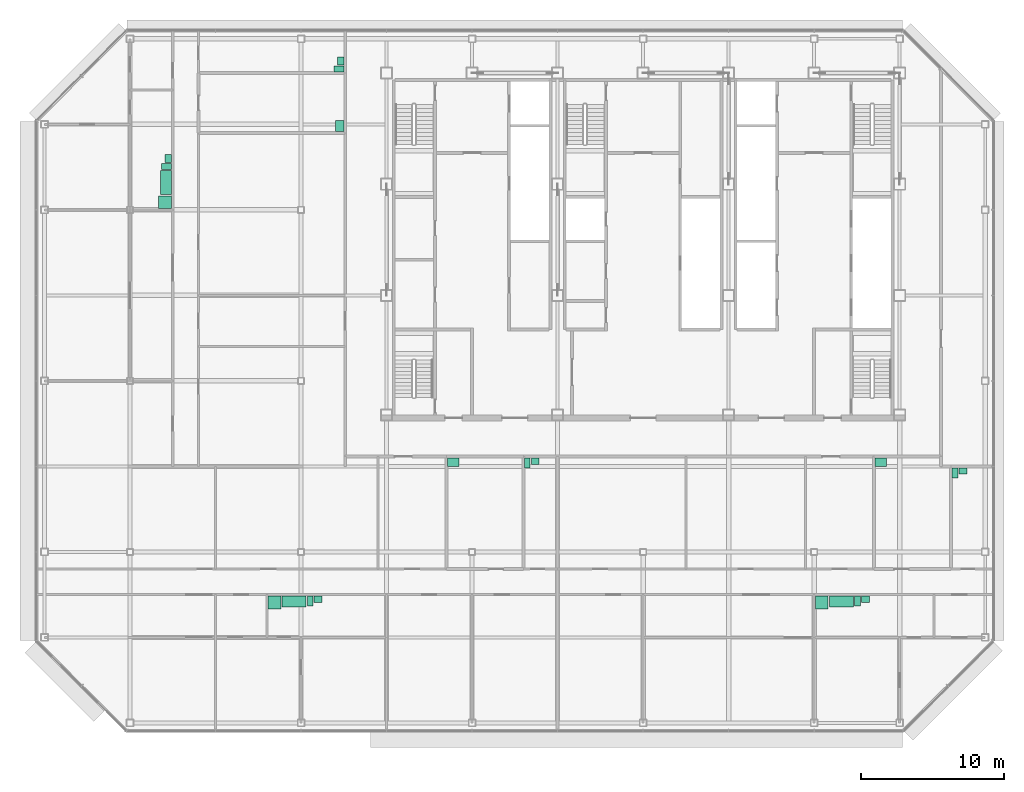
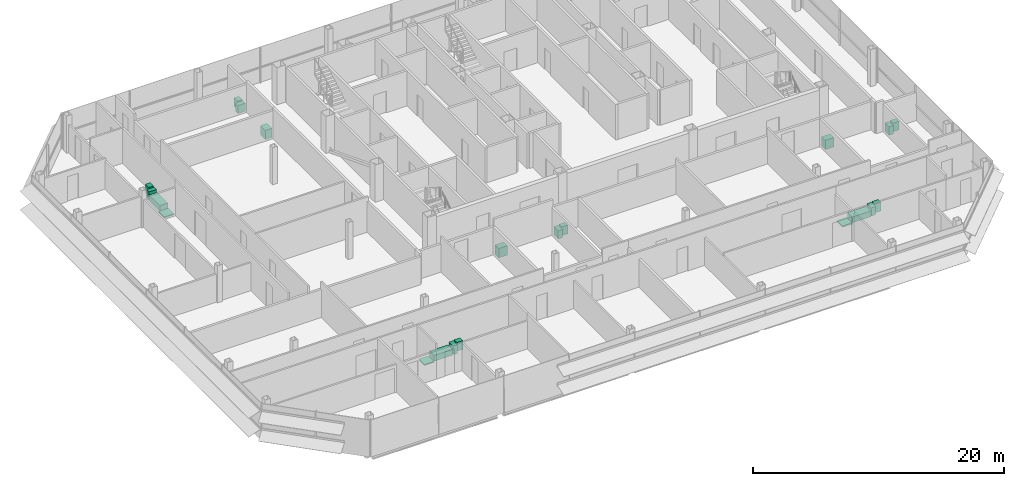
# One storey, part 27 of 27: 21 sanitary terminals.
"""IFC4 building model written with IfcOpenShell, lengths in metres."""

from ifc_helpers import new_model, si_unit, direction, frame, origin, origin_2d, place, context, subcontext, project, spatial, rectangle, extrude, element, save


model = new_model("IFC4")

# Units and contexts
model_context = context("Model", 3, precision=1e-05, world=origin(), true_north=direction((0.0, 1.0)))
body_context = subcontext(model_context, "Body", "Model", "MODEL_VIEW")
ifc_project = project(units=[si_unit("LENGTHUNIT", "METRE"), si_unit("AREAUNIT", "SQUARE_METRE"), si_unit("VOLUMEUNIT", "CUBIC_METRE"), si_unit("PLANEANGLEUNIT", "RADIAN"), si_unit("MASSUNIT", "GRAM", prefix="KILO")], contexts=[model_context])

# Site, building, storey
site_placement = place(None, origin())
site = spatial("IfcSite", under=ifc_project, at=site_placement, CompositionType="ELEMENT")
building_placement = place(site_placement, origin())
building = spatial("IfcBuilding", under=site, at=building_placement, Name="Sorahane Residences", CompositionType="ELEMENT")
storey_placement = place(building_placement, frame((0.0, 0.0, 316.0)))
storey = spatial("IfcBuildingStorey", under=building, at=storey_placement, Name="L75", CompositionType="ELEMENT", Elevation=316.0)

# Sanitary terminals
sanitary_terminal_1_placement = place(storey_placement, frame((-1.8701171875, 8.449951171875, 0.0), z_axis=(0.0, 0.0, 1.0), x_axis=(1.0, 0.0, 0.0)))
element("IfcSanitaryTerminal", 1, at=sanitary_terminal_1_placement, inside=storey, Name="Shower tray En-suite bathroom 75A", PredefinedType="SHOWER", context=body_context, shape_type="SweptSolid", body=[
    extrude(rectangle(XDim=0.89990234375, YDim=0.89990234375, at=origin_2d()), origin(), (0.0, 0.0, 1.0), 0.1201171875),
])
sanitary_terminal_2_placement = place(storey_placement, frame((-0.489990234375, 8.52490234375, 0.0), z_axis=(0.0, 0.0, 1.0), x_axis=(1.0, 0.0, 0.0)))
element("IfcSanitaryTerminal", 2, at=sanitary_terminal_2_placement, inside=storey, Name="Bath En-suite bathroom 75A", PredefinedType="BATH", context=body_context, shape_type="SweptSolid", body=[
    extrude(rectangle(XDim=1.699951171875, YDim=0.75, at=origin_2d()), origin(), (0.0, 0.0, 1.0), 0.56005859375),
])
sanitary_terminal_3_placement = place(storey_placement, frame((0.639892578125, 8.550048828125, 0.0), z_axis=(0.0, 0.0, 1.0), x_axis=(1.0, 0.0, 0.0)))
element("IfcSanitaryTerminal", 3, at=sanitary_terminal_3_placement, inside=storey, Name="WC pan En-suite bathroom 75A", PredefinedType="TOILETPAN", context=body_context, shape_type="SweptSolid", body=[
    extrude(rectangle(XDim=0.39990234375, YDim=0.699951171875, at=origin_2d()), origin(), (0.0, 0.0, 1.0), 0.800048828125),
])
sanitary_terminal_4_placement = place(storey_placement, frame((1.195068359375, 8.675048828125, 0.0), z_axis=(0.0, 0.0, 1.0), x_axis=(1.0, 0.0, 0.0)))
element("IfcSanitaryTerminal", 4, at=sanitary_terminal_4_placement, inside=storey, Name="Wash basin En-suite bathroom 75A", PredefinedType="WASHHANDBASIN", context=body_context, shape_type="SweptSolid", body=[
    extrude(rectangle(XDim=0.550048828125, YDim=0.449951171875, at=origin_2d()), origin(), (0.0, 0.0, 1.0), 0.85009765625),
])
sanitary_terminal_5_placement = place(storey_placement, frame((10.679931640625, 18.300048828125, 0.0), z_axis=(0.0, 0.0, 1.0), x_axis=(1.0, 0.0, 0.0)))
element("IfcSanitaryTerminal", 5, at=sanitary_terminal_5_placement, inside=storey, Name="Kitchen sink Kitchen 75A", PredefinedType="SINK", context=body_context, shape_type="SweptSolid", body=[
    extrude(rectangle(XDim=0.800048828125, YDim=0.60009765625, at=origin_2d()), origin(), (0.0, 0.0, 1.0), 0.89990234375),
])
sanitary_terminal_6_placement = place(storey_placement, frame((15.8798828125, 18.25, 0.0), z_axis=(0.0, 0.0, 1.0), x_axis=(1.0, 0.0, 0.0)))
element("IfcSanitaryTerminal", 6, at=sanitary_terminal_6_placement, inside=storey, Name="WC pan Guest WC 75A", PredefinedType="TOILETPAN", context=body_context, shape_type="SweptSolid", body=[
    extrude(rectangle(XDim=0.39990234375, YDim=0.699951171875, at=origin_2d()), origin(), (0.0, 0.0, 1.0), 0.800048828125),
])
sanitary_terminal_7_placement = place(storey_placement, frame((16.43505859375, 18.375, 0.0), z_axis=(0.0, 0.0, 1.0), x_axis=(1.0, 0.0, 0.0)))
element("IfcSanitaryTerminal", 7, at=sanitary_terminal_7_placement, inside=storey, Name="Wash basin Guest WC 75A", PredefinedType="WASHHANDBASIN", context=body_context, shape_type="SweptSolid", body=[
    extrude(rectangle(XDim=0.550048828125, YDim=0.449951171875, at=origin_2d()), origin(), (0.0, 0.0, 1.0), 0.85009765625),
])
sanitary_terminal_8_placement = place(storey_placement, frame((36.530029296875, 8.449951171875, 0.0), z_axis=(0.0, 0.0, 1.0), x_axis=(1.0, 0.0, 0.0)))
element("IfcSanitaryTerminal", 8, at=sanitary_terminal_8_placement, inside=storey, Name="Shower tray En-suite bathroom 75B", PredefinedType="SHOWER", context=body_context, shape_type="SweptSolid", body=[
    extrude(rectangle(XDim=0.89990234375, YDim=0.89990234375, at=origin_2d()), origin(), (0.0, 0.0, 1.0), 0.1201171875),
])
sanitary_terminal_9_placement = place(storey_placement, frame((37.909912109375, 8.52490234375, 0.0), z_axis=(0.0, 0.0, 1.0), x_axis=(1.0, 0.0, 0.0)))
element("IfcSanitaryTerminal", 9, at=sanitary_terminal_9_placement, inside=storey, Name="Bath En-suite bathroom 75B", PredefinedType="BATH", context=body_context, shape_type="SweptSolid", body=[
    extrude(rectangle(XDim=1.699951171875, YDim=0.75, at=origin_2d()), origin(), (0.0, 0.0, 1.0), 0.56005859375),
])
sanitary_terminal_10_placement = place(storey_placement, frame((39.0400390625, 8.550048828125, 0.0), z_axis=(0.0, 0.0, 1.0), x_axis=(1.0, 0.0, 0.0)))
element("IfcSanitaryTerminal", 10, at=sanitary_terminal_10_placement, inside=storey, Name="WC pan En-suite bathroom 75B", PredefinedType="TOILETPAN", context=body_context, shape_type="SweptSolid", body=[
    extrude(rectangle(XDim=0.39990234375, YDim=0.699951171875, at=origin_2d()), origin(), (0.0, 0.0, 1.0), 0.800048828125),
])
sanitary_terminal_11_placement = place(storey_placement, frame((39.594970703125, 8.675048828125, 0.0), z_axis=(0.0, 0.0, 1.0), x_axis=(1.0, 0.0, 0.0)))
element("IfcSanitaryTerminal", 11, at=sanitary_terminal_11_placement, inside=storey, Name="Wash basin En-suite bathroom 75B", PredefinedType="WASHHANDBASIN", context=body_context, shape_type="SweptSolid", body=[
    extrude(rectangle(XDim=0.550048828125, YDim=0.449951171875, at=origin_2d()), origin(), (0.0, 0.0, 1.0), 0.85009765625),
])
sanitary_terminal_12_placement = place(storey_placement, frame((40.679931640625, 18.300048828125, 0.0), z_axis=(0.0, 0.0, 1.0), x_axis=(1.0, 0.0, 0.0)))
element("IfcSanitaryTerminal", 12, at=sanitary_terminal_12_placement, inside=storey, Name="Kitchen sink Kitchen 75B", PredefinedType="SINK", context=body_context, shape_type="SweptSolid", body=[
    extrude(rectangle(XDim=0.800048828125, YDim=0.60009765625, at=origin_2d()), origin(), (0.0, 0.0, 1.0), 0.89990234375),
])
sanitary_terminal_13_placement = place(storey_placement, frame((45.8798828125, 17.550048828125, 0.0), z_axis=(0.0, 0.0, 1.0), x_axis=(1.0, 0.0, 0.0)))
element("IfcSanitaryTerminal", 13, at=sanitary_terminal_13_placement, inside=storey, Name="WC pan Guest WC 75B", PredefinedType="TOILETPAN", context=body_context, shape_type="SweptSolid", body=[
    extrude(rectangle(XDim=0.39990234375, YDim=0.699951171875, at=origin_2d()), origin(), (0.0, 0.0, 1.0), 0.800048828125),
])
sanitary_terminal_14_placement = place(storey_placement, frame((46.43505859375, 17.675048828125, 0.0), z_axis=(0.0, 0.0, 1.0), x_axis=(1.0, 0.0, 0.0)))
element("IfcSanitaryTerminal", 14, at=sanitary_terminal_14_placement, inside=storey, Name="Wash basin Guest WC 75B", PredefinedType="WASHHANDBASIN", context=body_context, shape_type="SweptSolid", body=[
    extrude(rectangle(XDim=0.550048828125, YDim=0.449951171875, at=origin_2d()), origin(), (0.0, 0.0, 1.0), 0.85009765625),
])
sanitary_terminal_15_placement = place(storey_placement, frame((-9.550048828125, 36.530029296875, 0.0), z_axis=(0.0, 0.0, 1.0), x_axis=(0.0, -1.0, 0.0)))
element("IfcSanitaryTerminal", 15, at=sanitary_terminal_15_placement, inside=storey, Name="Shower tray En-suite bathroom 75C", PredefinedType="SHOWER", context=body_context, shape_type="SweptSolid", body=[
    extrude(rectangle(XDim=0.89990234375, YDim=0.89990234375, at=origin_2d()), origin(), (0.0, 0.0, 1.0), 0.1201171875),
])
sanitary_terminal_16_placement = place(storey_placement, frame((-9.47509765625, 37.909912109375, 0.0), z_axis=(0.0, 0.0, 1.0), x_axis=(0.0, -1.0, 0.0)))
element("IfcSanitaryTerminal", 16, at=sanitary_terminal_16_placement, inside=storey, Name="Bath En-suite bathroom 75C", PredefinedType="BATH", context=body_context, shape_type="SweptSolid", body=[
    extrude(rectangle(XDim=1.699951171875, YDim=0.75, at=origin_2d()), origin(), (0.0, 0.0, 1.0), 0.56005859375),
])
sanitary_terminal_17_placement = place(storey_placement, frame((-9.449951171875, 39.0400390625, 0.0), z_axis=(0.0, 0.0, 1.0), x_axis=(0.0, -1.0, 0.0)))
element("IfcSanitaryTerminal", 17, at=sanitary_terminal_17_placement, inside=storey, Name="WC pan En-suite bathroom 75C", PredefinedType="TOILETPAN", context=body_context, shape_type="SweptSolid", body=[
    extrude(rectangle(XDim=0.39990234375, YDim=0.699951171875, at=origin_2d()), origin(), (0.0, 0.0, 1.0), 0.800048828125),
])
sanitary_terminal_18_placement = place(storey_placement, frame((-9.324951171875, 39.594970703125, 0.0), z_axis=(0.0, 0.0, 1.0), x_axis=(0.0, -1.0, 0.0)))
element("IfcSanitaryTerminal", 18, at=sanitary_terminal_18_placement, inside=storey, Name="Wash basin En-suite bathroom 75C", PredefinedType="WASHHANDBASIN", context=body_context, shape_type="SweptSolid", body=[
    extrude(rectangle(XDim=0.550048828125, YDim=0.449951171875, at=origin_2d()), origin(), (0.0, 0.0, 1.0), 0.85009765625),
])
sanitary_terminal_19_placement = place(storey_placement, frame((2.699951171875, 41.8798828125, 0.0), z_axis=(0.0, 0.0, 1.0), x_axis=(0.0, -1.0, 0.0)))
element("IfcSanitaryTerminal", 19, at=sanitary_terminal_19_placement, inside=storey, Name="Kitchen sink Kitchen 75C", PredefinedType="SINK", context=body_context, shape_type="SweptSolid", body=[
    extrude(rectangle(XDim=0.800048828125, YDim=0.60009765625, at=origin_2d()), origin(), (0.0, 0.0, 1.0), 0.89990234375),
])
sanitary_terminal_20_placement = place(storey_placement, frame((2.64990234375, 45.8798828125, 0.0), z_axis=(0.0, 0.0, 1.0), x_axis=(0.0, -1.0, 0.0)))
element("IfcSanitaryTerminal", 20, at=sanitary_terminal_20_placement, inside=storey, Name="WC pan Powder room 75C", PredefinedType="TOILETPAN", context=body_context, shape_type="SweptSolid", body=[
    extrude(rectangle(XDim=0.39990234375, YDim=0.699951171875, at=origin_2d()), origin(), (0.0, 0.0, 1.0), 0.800048828125),
])
sanitary_terminal_21_placement = place(storey_placement, frame((2.77490234375, 46.43505859375, 0.0), z_axis=(0.0, 0.0, 1.0), x_axis=(0.0, -1.0, 0.0)))
element("IfcSanitaryTerminal", 21, at=sanitary_terminal_21_placement, inside=storey, Name="Wash basin Powder room 75C", PredefinedType="WASHHANDBASIN", context=body_context, shape_type="SweptSolid", body=[
    extrude(rectangle(XDim=0.550048828125, YDim=0.449951171875, at=origin_2d()), origin(), (0.0, 0.0, 1.0), 0.85009765625),
])

save(model, "model.ifc")
